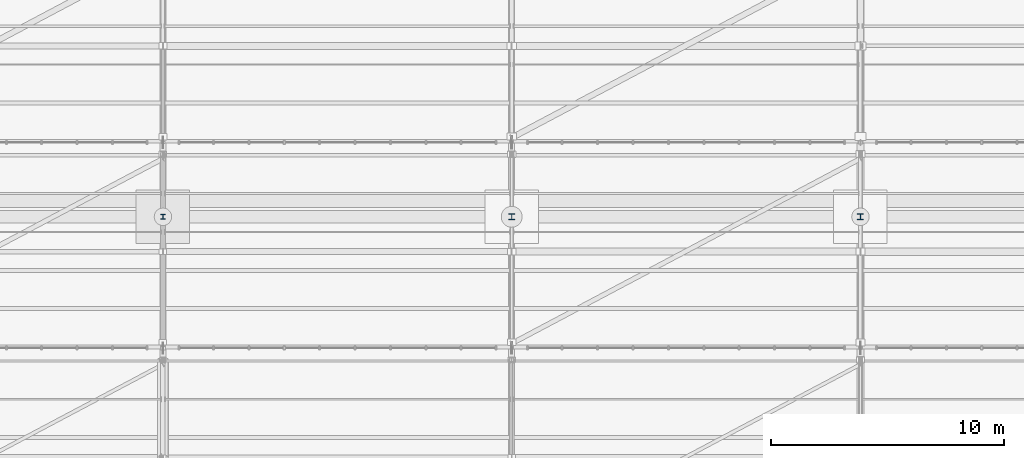
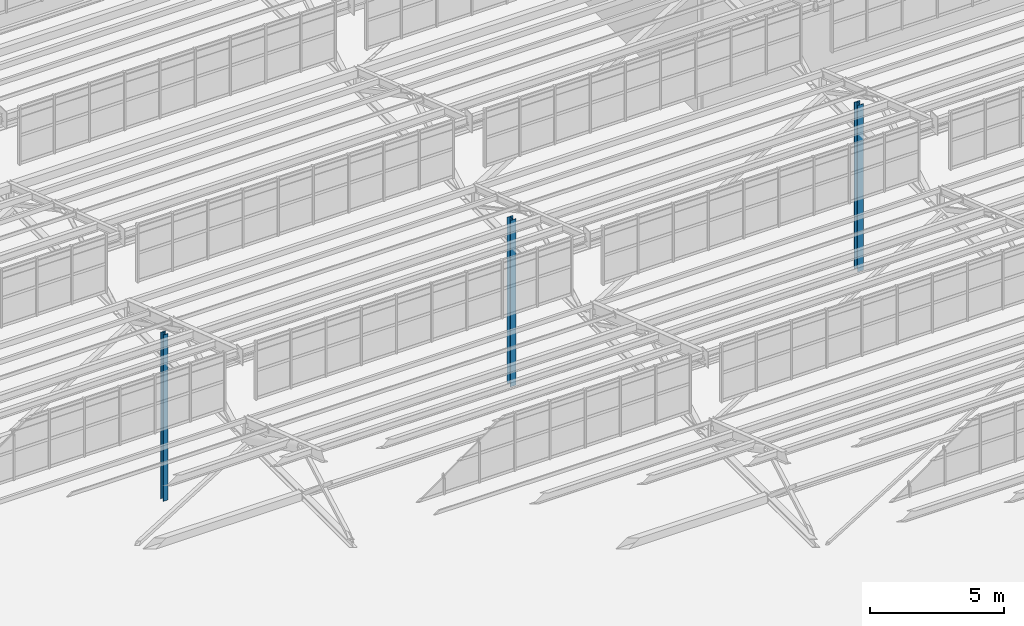
# One storey, part 22 of 285: 3 columns.
"""IFC4 building model written with IfcOpenShell, lengths in metres."""

import ifcopenshell
import ifcopenshell.guid

model = None  # the IFC model being written
_history = None  # IfcOwnerHistory: only IFC2X3 demands one
_inside = {}  # id of a spatial element -> (the spatial element, [elements in it])
_under = {}  # id of a project, library or spatial element -> (it, [spatial elements below it])
_declared = {}  # id of a project -> (the project, [libraries it declares])
_typed = {}  # id of a type object -> (the type object, [elements of that type])
_made_of = {}  # id of a material, layer set ... -> (it, [elements and type objects made of it])


def new_model(schema):
    """Start an empty IFC model of exactly this schema.

    Asked for "IFC4X3", IfcOpenShell would pick the latest addendum, in which some entities
    have other attributes; the version numbers below select the first issue.
    IFC2X3 requires an IfcOwnerHistory on every rooted entity: one is made here for all.
    """
    global model, _history
    if schema == "IFC4X3":
        model = ifcopenshell.file(schema_version=(4, 3, 0, 0))
    else:
        model = ifcopenshell.file(schema=schema)
    _inside.clear()
    _under.clear()
    _declared.clear()
    _typed.clear()
    _made_of.clear()
    _history = None
    if model.schema == "IFC2X3":
        org = make("IfcOrganization", Name="unknown")
        user = make(
            "IfcPersonAndOrganization",
            ThePerson=make("IfcPerson", FamilyName="unknown"),
            TheOrganization=org,
        )
        app = make(
            "IfcApplication",
            ApplicationDeveloper=org,
            Version="unknown",
            ApplicationFullName="unknown",
            ApplicationIdentifier="unknown",
        )
        _history = make(
            "IfcOwnerHistory",
            OwningUser=user,
            OwningApplication=app,
            ChangeAction="ADDED",
            CreationDate=0,
        )
    return model


def make(cls, **values):
    """One entity of the class cls with the attributes given. An attribute that is None is left unset."""
    return model.create_entity(
        cls, **{name: value for name, value in values.items() if value is not None}
    )


def rooted(cls, **values):
    """An entity with a GlobalId (a new one), such as an element, a storey or a relation."""
    return make(cls, GlobalId=ifcopenshell.guid.new(), OwnerHistory=_history, **values)


def si_unit(unit_type, name, prefix=None):
    """IfcSIUnit, for example si_unit("LENGTHUNIT", "METRE", prefix="MILLI")."""
    return make("IfcSIUnit", UnitType=unit_type, Prefix=prefix, Name=name)


def assignment(units):
    """IfcUnitAssignment: the units of a project."""
    return None if units is None else make("IfcUnitAssignment", Units=units)


def point(xyz):
    """IfcCartesianPoint."""
    return None if xyz is None else make("IfcCartesianPoint", Coordinates=xyz)


def direction(xyz):
    """IfcDirection."""
    return None if xyz is None else make("IfcDirection", DirectionRatios=xyz)


def frame(location, z_axis=None, x_axis=None):
    """IfcAxis2Placement3D, a coordinate frame: its origin and axes. An axis left out is left unset."""
    return make(
        "IfcAxis2Placement3D",
        Location=point(location),
        Axis=direction(z_axis),
        RefDirection=direction(x_axis),
    )


def frame_2d(location, x_axis=None):
    """IfcAxis2Placement2D, a coordinate frame in the plane: its origin and x axis."""
    return make(
        "IfcAxis2Placement2D", Location=point(location), RefDirection=direction(x_axis)
    )


def origin():
    """The frame at (0, 0, 0) with its axes left unset."""
    return frame((0.0, 0.0, 0.0))


def origin_2d():
    """The frame at (0, 0) in the plane with its x axis left unset."""
    return frame_2d((0.0, 0.0))


def place(relative_to, where):
    """IfcLocalPlacement: puts the frame where relative to a parent placement (None: the world)."""
    return make(
        "IfcLocalPlacement", PlacementRelTo=relative_to, RelativePlacement=where
    )


def context(
    kind, dimensions, precision=None, world=None, true_north=None, identifier=None
):
    """IfcGeometricRepresentationContext, for example the 3D "Model" context."""
    return make(
        "IfcGeometricRepresentationContext",
        ContextIdentifier=identifier,
        ContextType=kind,
        CoordinateSpaceDimension=dimensions,
        Precision=precision,
        WorldCoordinateSystem=world,
        TrueNorth=true_north,
    )


def subcontext(parent, identifier, kind, view, scale=None):
    """IfcGeometricRepresentationSubContext, for example "Body" below "Model"."""
    return make(
        "IfcGeometricRepresentationSubContext",
        ContextIdentifier=identifier,
        ContextType=kind,
        ParentContext=parent,
        TargetScale=scale,
        TargetView=view,
    )


def project(units=None, contexts=None):
    """IfcProject with its units and contexts."""
    return rooted(
        "IfcProject",
        Name="project",
        RepresentationContexts=contexts,
        UnitsInContext=assignment(units),
    )


def spatial(cls, under=None, at=None, **own):
    """A site, building, storey or space (cls), placed at a placement, below another one or the project."""
    s = rooted(cls, ObjectPlacement=at, **own)
    if under is not None:
        _under.setdefault(under.id(), (under, []))[1].append(s)
    return s


def profile(cls, at=None, kind="AREA", **sizes):
    """A parametric profile (cls). Its sizes go by their IFC names, for example OverallWidth=200.0."""
    return make(cls, ProfileType=kind, Position=at, **sizes)


def i_section(**sizes):
    """IfcIShapeProfileDef."""
    return profile("IfcIShapeProfileDef", **sizes)


def extrude(swept, where, along, depth):
    """IfcExtrudedAreaSolid: the profile swept, set in the frame where, extruded along a direction by depth."""
    return make(
        "IfcExtrudedAreaSolid",
        SweptArea=swept,
        Position=where,
        ExtrudedDirection=direction(along),
        Depth=depth,
    )


def shape(context_of_items, identifier, shape_type, items):
    """IfcShapeRepresentation: the items that make up one representation, for example the "Body"."""
    return make(
        "IfcShapeRepresentation",
        ContextOfItems=context_of_items,
        RepresentationIdentifier=identifier,
        RepresentationType=shape_type,
        Items=items,
    )


def material(Name=None, Category=None):
    """IfcMaterial."""
    return make("IfcMaterial", Name=Name, Category=Category)


def material_profile(
    of_material, cross_section, Name=None, Category=None, Priority=None
):
    """IfcMaterialProfile: a cross section and its material."""
    return make(
        "IfcMaterialProfile",
        Name=Name,
        Material=of_material,
        Profile=cross_section,
        Priority=Priority,
        Category=Category,
    )


def profile_set(profiles, Name=None, composite=None):
    """IfcMaterialProfileSet."""
    return make(
        "IfcMaterialProfileSet",
        Name=Name,
        MaterialProfiles=profiles,
        CompositeProfile=composite,
    )


def made_of(thing, what):
    """Note that an element or type object is made of a material, layer set ...; save() writes the relation."""
    if what is not None:
        _made_of.setdefault(what.id(), (what, []))[1].append(thing)
    return thing


def type_object(cls, material=None, **own):
    """A type object (cls), such as IfcWallType, which elements share."""
    return made_of(rooted(cls, **own), material)


def element(
    cls,
    number,
    at=None,
    inside=None,
    cuts=None,
    type_object=None,
    material=None,
    context=None,
    identifier="Body",
    shape_type=None,
    held_by="IfcProductDefinitionShape",
    body=None,
    shapes=None,
    **own,
):
    """One element of the class cls, such as IfcWall. Its Tag is "e" and its number.

    at: its placement. inside: the storey or other place that contains it. cuts: it is an
    opening in that element (IfcRelVoidsElement). A single representation is given by context,
    identifier, shape_type and body (its items); several are given by shapes. held_by: the class
    of the entity that holds the representations. save() writes the other relations.
    """
    e = rooted(cls, Tag="e%d" % number, ObjectPlacement=at, **own)
    if body is not None:
        shapes = [shape(context, identifier, shape_type, body)]
    if shapes is not None:
        e.Representation = make(held_by, Representations=shapes)
    if inside is not None:
        _inside.setdefault(inside.id(), (inside, []))[1].append(e)
    if cuts is not None:
        rooted(
            "IfcRelVoidsElement", RelatingBuildingElement=cuts, RelatedOpeningElement=e
        )
    if type_object is not None:
        _typed.setdefault(type_object.id(), (type_object, []))[1].append(e)
    return made_of(e, material)


def aggregate(whole, parts):
    """IfcRelAggregates: a whole, such as a stair, and the parts it consists of."""
    return rooted("IfcRelAggregates", RelatingObject=whole, RelatedObjects=parts)


def save(model, path):
    """Write the relations noted so far, then the file.

    IfcRelAggregates (storeys below a building ...), IfcRelContainedInSpatialStructure (elements
    in a storey), IfcRelDefinesByType, IfcRelAssociatesMaterial and IfcRelDeclares: one each for
    every whole, place, type object, material and project.
    """
    for whole, parts in _under.values():
        aggregate(whole, parts)
    for where, things in _inside.values():
        rooted(
            "IfcRelContainedInSpatialStructure",
            RelatedElements=things,
            RelatingStructure=where,
        )
    for kind, things in _typed.values():
        rooted("IfcRelDefinesByType", RelatedObjects=things, RelatingType=kind)
    for what, things in _made_of.values():
        rooted("IfcRelAssociatesMaterial", RelatedObjects=things, RelatingMaterial=what)
    for by, libraries in _declared.values():
        rooted("IfcRelDeclares", RelatingContext=by, RelatedDefinitions=libraries)
    model.write(path)


model = new_model("IFC4")

# Units and contexts
model_context = context("Model", 3, precision=1e-05, world=origin(), true_north=direction((0.0, 1.0)))
body_context = subcontext(model_context, "Body", "Model", "MODEL_VIEW")
ifc_project = project(units=[si_unit("LENGTHUNIT", "METRE"), si_unit("AREAUNIT", "SQUARE_METRE"), si_unit("VOLUMEUNIT", "CUBIC_METRE"), si_unit("PLANEANGLEUNIT", "RADIAN"), si_unit("MASSUNIT", "GRAM", prefix="KILO")], contexts=[model_context])

# Site, building, storey
site_placement = place(None, origin())
site = spatial("IfcSite", under=ifc_project, at=site_placement, CompositionType="ELEMENT")
building_placement = place(site_placement, origin())
building = spatial("IfcBuilding", under=site, at=building_placement, Name="Solanera Park Tramway Depot", CompositionType="ELEMENT")
storey_placement = place(building_placement, origin())
storey = spatial("IfcBuildingStorey", under=building, at=storey_placement, Name="L00", CompositionType="ELEMENT", Elevation=0.0)

# Columns
ifc_material_1 = material(Name="Steel AS/NZS 3679.1 Grade 350", Category="steel")
ifc_material_profile_1 = material_profile(ifc_material_1, i_section(OverallWidth=0.205078125, OverallDepth=0.209716796875, WebThickness=0.00927734375, FlangeThickness=0.01416015625, at=origin_2d()), Name="200UC59.5")
ifc_profile_set_1 = profile_set([ifc_material_profile_1], Name="Steel AS/NZS 3679.1 Grade 350")
column_type_1 = type_object("IfcColumnType", Name="Steel Column Int 200UC59.5", PredefinedType="COLUMN", material=ifc_profile_set_1)
column_1_placement = place(storey_placement, frame((30.0, 114.5, 0.0), z_axis=(0.0, 0.0, 1.0), x_axis=(1.0, 0.0, 0.0)))
element("IfcColumn", 1, at=column_1_placement, inside=storey, type_object=column_type_1, Name="L00 Column V1-X300-Y1145", PredefinedType="COLUMN", context=body_context, shape_type="SweptSolid", body=[
    extrude(i_section(OverallWidth=0.205078125, OverallDepth=0.209716796875, WebThickness=0.00927734375, FlangeThickness=0.01416015625, at=origin_2d()), origin(), (0.0, 0.0, 1.0), 7.60009765625),
])
ifc_material_2 = material(Name="Steel AS/NZS 3679.1 Grade 350", Category="steel")
ifc_material_profile_2 = material_profile(ifc_material_2, i_section(OverallWidth=0.25390625, OverallDepth=0.25390625, WebThickness=0.008544921875, FlangeThickness=0.01416015625, at=origin_2d()), Name="250UC72.9")
ifc_profile_set_2 = profile_set([ifc_material_profile_2], Name="Steel AS/NZS 3679.1 Grade 350")
column_type_2 = type_object("IfcColumnType", Name="Steel Column Int 250UC72.9", PredefinedType="COLUMN", material=ifc_profile_set_2)
column_2_placement = place(storey_placement, frame((45.0, 114.5, 0.0), z_axis=(0.0, 0.0, 1.0), x_axis=(1.0, 0.0, 0.0)))
element("IfcColumn", 2, at=column_2_placement, inside=storey, type_object=column_type_2, Name="L00 Column V1-X450-Y1145", PredefinedType="COLUMN", context=body_context, shape_type="SweptSolid", body=[
    extrude(i_section(OverallWidth=0.25390625, OverallDepth=0.25390625, WebThickness=0.008544921875, FlangeThickness=0.01416015625, at=origin_2d()), origin(), (0.0, 0.0, 1.0), 7.60009765625),
])
ifc_material_3 = material(Name="Steel AS/NZS 3679.1 Grade 350", Category="steel")
ifc_material_profile_3 = material_profile(ifc_material_3, i_section(OverallWidth=0.255615234375, OverallDepth=0.260009765625, WebThickness=0.010498046875, FlangeThickness=0.017333984375, at=origin_2d()), Name="250UC89.5")
ifc_profile_set_3 = profile_set([ifc_material_profile_3], Name="Steel AS/NZS 3679.1 Grade 350")
column_type_3 = type_object("IfcColumnType", Name="Steel Column Int 250UC89.5", PredefinedType="COLUMN", material=ifc_profile_set_3)
column_3_placement = place(storey_placement, frame((60.0, 114.5, 0.0), z_axis=(0.0, 0.0, 1.0), x_axis=(1.0, 0.0, 0.0)))
element("IfcColumn", 3, at=column_3_placement, inside=storey, type_object=column_type_3, Name="L00 Column V1-X600-Y1145", PredefinedType="COLUMN", context=body_context, shape_type="SweptSolid", body=[
    extrude(i_section(OverallWidth=0.255615234375, OverallDepth=0.260009765625, WebThickness=0.010498046875, FlangeThickness=0.017333984375, at=origin_2d()), origin(), (0.0, 0.0, 1.0), 7.60009765625),
])

save(model, "model.ifc")
